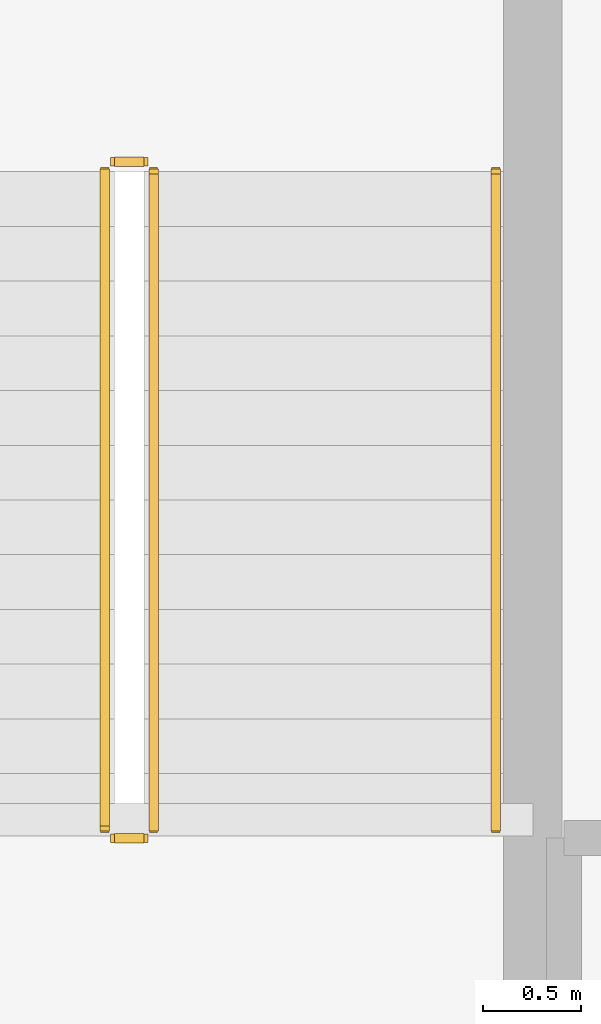
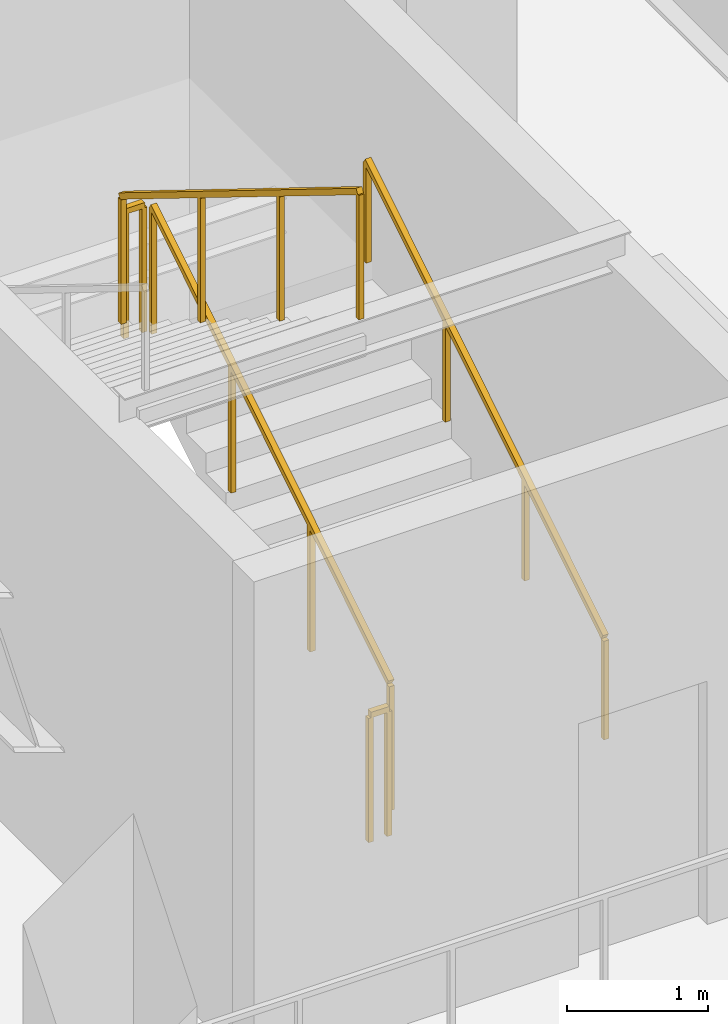
# One storey, part 10 of 12: 5 railings.
"""IFC4 building model written with IfcOpenShell, lengths in metres."""

from ifc_helpers import new_model, si_unit, direction, frame, origin, origin_2d, place, context, subcontext, project, spatial, rectangle, extrude, material, type_object, element, save


model = new_model("IFC4")

# Units and contexts
model_context = context("Model", 3, precision=1e-05, world=origin(), true_north=direction((0.0, 1.0)))
body_context = subcontext(model_context, "Body", "Model", "MODEL_VIEW")
ifc_project = project(units=[si_unit("LENGTHUNIT", "METRE"), si_unit("AREAUNIT", "SQUARE_METRE"), si_unit("VOLUMEUNIT", "CUBIC_METRE"), si_unit("PLANEANGLEUNIT", "RADIAN"), si_unit("MASSUNIT", "GRAM", prefix="KILO")], contexts=[model_context])

# Site, building, storey
site_placement = place(None, origin())
site = spatial("IfcSite", under=ifc_project, at=site_placement, CompositionType="ELEMENT")
building_placement = place(site_placement, origin())
building = spatial("IfcBuilding", under=site, at=building_placement, Name="Vantalir Tower", CompositionType="ELEMENT")
storey_placement = place(building_placement, frame((0.0, 0.0, -4.5)))
storey = spatial("IfcBuildingStorey", under=building, at=storey_placement, Name="B01", CompositionType="ELEMENT", Elevation=-4.5)

# Railings
ifc_material_1 = material(Name="Anodised aluminium and stainless steel guard", Category="steel")
railing_type_1 = type_object("IfcRailingType", Name="RAL-GUARD-1120", PredefinedType="GUARDRAIL", material=ifc_material_1)
railing_1_placement = place(storey_placement, frame((6.050048828125, 40.85009765625, 0.173095703125)))
element("IfcRailing", 1, at=railing_1_placement, inside=storey, type_object=railing_type_1, Name="B01 PST1 stair guard 1", PredefinedType="GUARDRAIL", context=body_context, shape_type="SweptSolid", body=[
    extrude(rectangle(XDim=0.048095703125, YDim=0.048095703125, at=origin_2d()), frame((0.0, 0.0, 1.09619140625), z_axis=(0.0, 0.850606129759, 0.525803396734), x_axis=(-1.0, 0.0, 0.0)), (0.0, 0.0, 1.0), 3.949951171875),
    extrude(rectangle(XDim=0.0419921875, YDim=0.0419921875, at=origin_2d()), origin(), (0.0, 0.0, 1.0), 1.072021484375),
    extrude(rectangle(XDim=0.0419921875, YDim=0.0419921875, at=origin_2d()), frame((0.0, 1.119873046875, 0.6923828125)), (0.0, 0.0, 1.0), 1.072021484375),
    extrude(rectangle(XDim=0.0419921875, YDim=0.0419921875, at=origin_2d()), frame((0.0, 2.239990234375, 1.384521484375)), (0.0, 0.0, 1.0), 1.072021484375),
    extrude(rectangle(XDim=0.0419921875, YDim=0.0419921875, at=origin_2d()), frame((0.0, 3.35986328125, 2.076904296875)), (0.0, 0.0, 1.0), 1.072021484375),
])
railing_2_placement = place(storey_placement, frame((6.0, 44.260009765625, 2.25)))
element("IfcRailing", 2, at=railing_2_placement, inside=storey, type_object=railing_type_1, Name="B01 PST1 stair guard 2", PredefinedType="GUARDRAIL", context=body_context, shape_type="SweptSolid", body=[
    extrude(rectangle(XDim=0.048095703125, YDim=0.048095703125, at=origin_2d()), frame((0.0, 0.0, 1.09619140625), z_axis=(-1.0, 0.0, 0.0), x_axis=(0.0, -1.0, 0.0)), (0.0, 0.0, 1.0), 0.14990234375),
    extrude(rectangle(XDim=0.0419921875, YDim=0.0419921875, at=origin_2d()), origin(), (0.0, 0.0, 1.0), 1.072021484375),
    extrude(rectangle(XDim=0.0419921875, YDim=0.0419921875, at=origin_2d()), frame((-0.14990234375, 0.0, 0.0)), (0.0, 0.0, 1.0), 1.072021484375),
])
railing_3_placement = place(storey_placement, frame((5.800048828125, 44.2099609375, 2.423095703125)))
element("IfcRailing", 3, at=railing_3_placement, inside=storey, type_object=railing_type_1, Name="B01 PST1 stair guard 3", PredefinedType="GUARDRAIL", context=body_context, shape_type="SweptSolid", body=[
    extrude(rectangle(XDim=0.048095703125, YDim=0.048095703125, at=origin_2d()), frame((0.0, 0.0, 1.09619140625), z_axis=(0.0, -0.850606129759, 0.525803396734), x_axis=(1.0, 0.0, 0.0)), (0.0, 0.0, 1.0), 3.949951171875),
    extrude(rectangle(XDim=0.0419921875, YDim=0.0419921875, at=origin_2d()), origin(), (0.0, 0.0, 1.0), 1.072021484375),
    extrude(rectangle(XDim=0.0419921875, YDim=0.0419921875, at=origin_2d()), frame((0.0, -1.119873046875, 0.6923828125)), (0.0, 0.0, 1.0), 1.072021484375),
    extrude(rectangle(XDim=0.0419921875, YDim=0.0419921875, at=origin_2d()), frame((0.0, -2.239990234375, 1.384521484375)), (0.0, 0.0, 1.0), 1.072021484375),
    extrude(rectangle(XDim=0.0419921875, YDim=0.0419921875, at=origin_2d()), frame((0.0, -3.35986328125, 2.076904296875)), (0.0, 0.0, 1.0), 1.072021484375),
])
railing_4_placement = place(storey_placement, frame((6.0, 40.800048828125, 0.0)))
element("IfcRailing", 4, at=railing_4_placement, inside=storey, type_object=railing_type_1, Name="B01 PST1 stair guard 4", PredefinedType="GUARDRAIL", context=body_context, shape_type="SweptSolid", body=[
    extrude(rectangle(XDim=0.048095703125, YDim=0.048095703125, at=origin_2d()), frame((0.0, 0.0, 1.09619140625), z_axis=(-1.0, 0.0, 0.0), x_axis=(0.0, -1.0, 0.0)), (0.0, 0.0, 1.0), 0.14990234375),
    extrude(rectangle(XDim=0.0419921875, YDim=0.0419921875, at=origin_2d()), origin(), (0.0, 0.0, 1.0), 1.072021484375),
    extrude(rectangle(XDim=0.0419921875, YDim=0.0419921875, at=origin_2d()), frame((-0.14990234375, 0.0, 0.0)), (0.0, 0.0, 1.0), 1.072021484375),
])
ifc_material_2 = material(Name="Brushed stainless steel tubular handrail", Category="steel")
railing_type_2 = type_object("IfcRailingType", Name="RAL-HANDRAIL-900", PredefinedType="HANDRAIL", material=ifc_material_2)
railing_5_placement = place(storey_placement, frame((7.800048828125, 40.85009765625, 0.173095703125)))
element("IfcRailing", 5, at=railing_5_placement, inside=storey, type_object=railing_type_2, Name="B01 PST1 stair handrail 1", PredefinedType="HANDRAIL", context=body_context, shape_type="SweptSolid", body=[
    extrude(rectangle(XDim=0.048095703125, YDim=0.048095703125, at=origin_2d()), frame((0.0, 0.0, 0.8759765625), z_axis=(0.0, 0.850606129759, 0.525803396734), x_axis=(-1.0, 0.0, 0.0)), (0.0, 0.0, 1.0), 3.949951171875),
    extrude(rectangle(XDim=0.0419921875, YDim=0.0419921875, at=origin_2d()), origin(), (0.0, 0.0, 1.0), 0.851806640625),
    extrude(rectangle(XDim=0.0419921875, YDim=0.0419921875, at=origin_2d()), frame((0.0, 1.119873046875, 0.6923828125)), (0.0, 0.0, 1.0), 0.851806640625),
    extrude(rectangle(XDim=0.0419921875, YDim=0.0419921875, at=origin_2d()), frame((0.0, 2.239990234375, 1.384521484375)), (0.0, 0.0, 1.0), 0.851806640625),
    extrude(rectangle(XDim=0.0419921875, YDim=0.0419921875, at=origin_2d()), frame((0.0, 3.35986328125, 2.076904296875)), (0.0, 0.0, 1.0), 0.851806640625),
])

save(model, "model.ifc")
